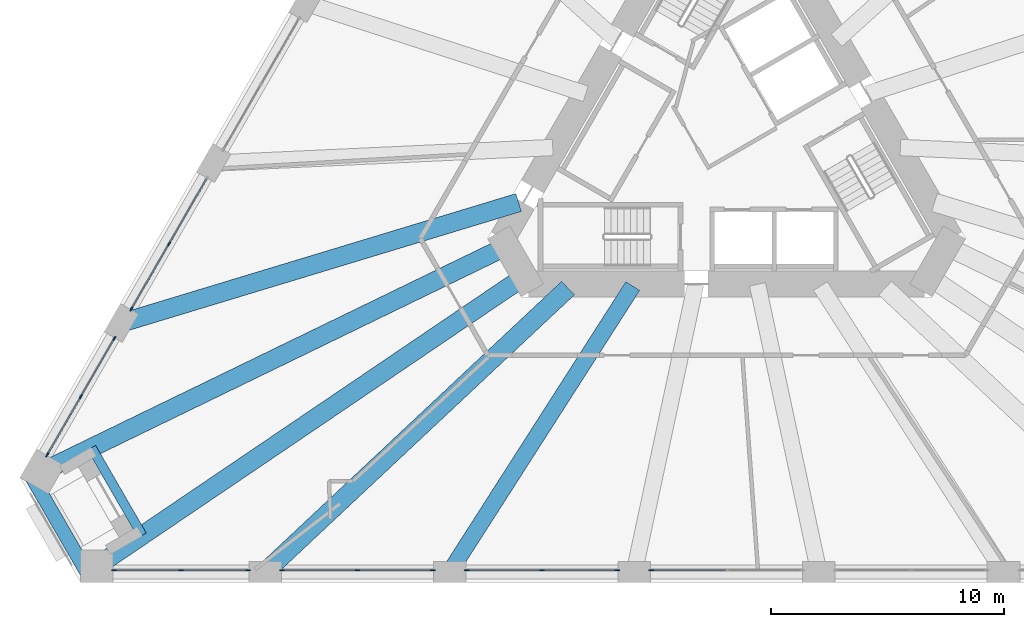
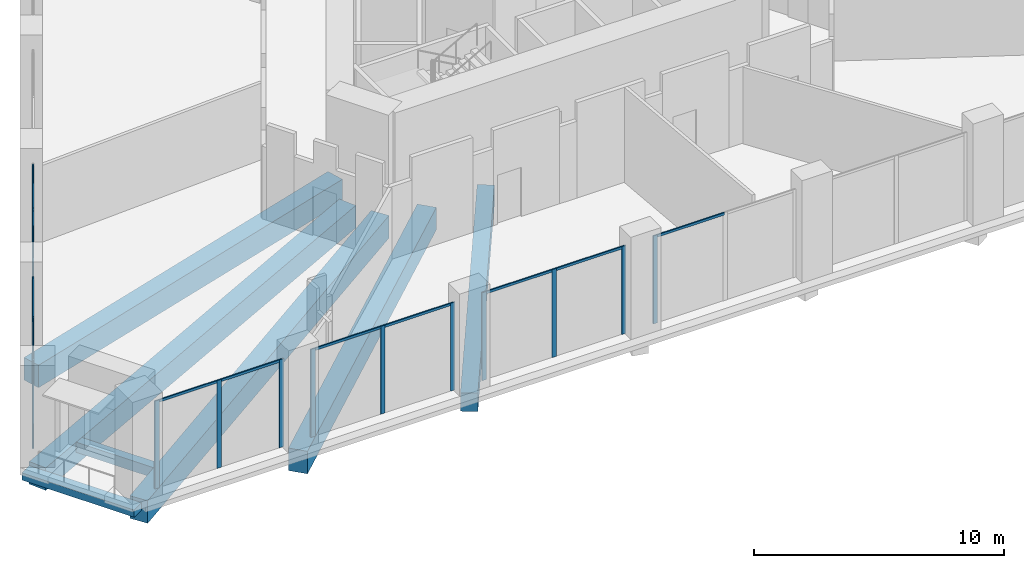
# One storey, part 2 of 20: 26 members, 7 beams, 6 elements without a shape of their own.
"""IFC4 building model written with IfcOpenShell, lengths in metres."""

import ifcopenshell
import ifcopenshell.guid

model = None  # the IFC model being written
_history = None  # IfcOwnerHistory: only IFC2X3 demands one
_inside = {}  # id of a spatial element -> (the spatial element, [elements in it])
_under = {}  # id of a project, library or spatial element -> (it, [spatial elements below it])
_declared = {}  # id of a project -> (the project, [libraries it declares])
_typed = {}  # id of a type object -> (the type object, [elements of that type])
_made_of = {}  # id of a material, layer set ... -> (it, [elements and type objects made of it])


def new_model(schema):
    """Start an empty IFC model of exactly this schema.

    Asked for "IFC4X3", IfcOpenShell would pick the latest addendum, in which some entities
    have other attributes; the version numbers below select the first issue.
    IFC2X3 requires an IfcOwnerHistory on every rooted entity: one is made here for all.
    """
    global model, _history
    if schema == "IFC4X3":
        model = ifcopenshell.file(schema_version=(4, 3, 0, 0))
    else:
        model = ifcopenshell.file(schema=schema)
    _inside.clear()
    _under.clear()
    _declared.clear()
    _typed.clear()
    _made_of.clear()
    _history = None
    if model.schema == "IFC2X3":
        org = make("IfcOrganization", Name="unknown")
        user = make(
            "IfcPersonAndOrganization",
            ThePerson=make("IfcPerson", FamilyName="unknown"),
            TheOrganization=org,
        )
        app = make(
            "IfcApplication",
            ApplicationDeveloper=org,
            Version="unknown",
            ApplicationFullName="unknown",
            ApplicationIdentifier="unknown",
        )
        _history = make(
            "IfcOwnerHistory",
            OwningUser=user,
            OwningApplication=app,
            ChangeAction="ADDED",
            CreationDate=0,
        )
    return model


def make(cls, **values):
    """One entity of the class cls with the attributes given. An attribute that is None is left unset."""
    return model.create_entity(
        cls, **{name: value for name, value in values.items() if value is not None}
    )


def rooted(cls, **values):
    """An entity with a GlobalId (a new one), such as an element, a storey or a relation."""
    return make(cls, GlobalId=ifcopenshell.guid.new(), OwnerHistory=_history, **values)


def si_unit(unit_type, name, prefix=None):
    """IfcSIUnit, for example si_unit("LENGTHUNIT", "METRE", prefix="MILLI")."""
    return make("IfcSIUnit", UnitType=unit_type, Prefix=prefix, Name=name)


def assignment(units):
    """IfcUnitAssignment: the units of a project."""
    return None if units is None else make("IfcUnitAssignment", Units=units)


def point(xyz):
    """IfcCartesianPoint."""
    return None if xyz is None else make("IfcCartesianPoint", Coordinates=xyz)


def direction(xyz):
    """IfcDirection."""
    return None if xyz is None else make("IfcDirection", DirectionRatios=xyz)


def frame(location, z_axis=None, x_axis=None):
    """IfcAxis2Placement3D, a coordinate frame: its origin and axes. An axis left out is left unset."""
    return make(
        "IfcAxis2Placement3D",
        Location=point(location),
        Axis=direction(z_axis),
        RefDirection=direction(x_axis),
    )


def frame_2d(location, x_axis=None):
    """IfcAxis2Placement2D, a coordinate frame in the plane: its origin and x axis."""
    return make(
        "IfcAxis2Placement2D", Location=point(location), RefDirection=direction(x_axis)
    )


def origin():
    """The frame at (0, 0, 0) with its axes left unset."""
    return frame((0.0, 0.0, 0.0))


def origin_2d():
    """The frame at (0, 0) in the plane with its x axis left unset."""
    return frame_2d((0.0, 0.0))


def place(relative_to, where):
    """IfcLocalPlacement: puts the frame where relative to a parent placement (None: the world)."""
    return make(
        "IfcLocalPlacement", PlacementRelTo=relative_to, RelativePlacement=where
    )


def context(
    kind, dimensions, precision=None, world=None, true_north=None, identifier=None
):
    """IfcGeometricRepresentationContext, for example the 3D "Model" context."""
    return make(
        "IfcGeometricRepresentationContext",
        ContextIdentifier=identifier,
        ContextType=kind,
        CoordinateSpaceDimension=dimensions,
        Precision=precision,
        WorldCoordinateSystem=world,
        TrueNorth=true_north,
    )


def subcontext(parent, identifier, kind, view, scale=None):
    """IfcGeometricRepresentationSubContext, for example "Body" below "Model"."""
    return make(
        "IfcGeometricRepresentationSubContext",
        ContextIdentifier=identifier,
        ContextType=kind,
        ParentContext=parent,
        TargetScale=scale,
        TargetView=view,
    )


def project(units=None, contexts=None):
    """IfcProject with its units and contexts."""
    return rooted(
        "IfcProject",
        Name="project",
        RepresentationContexts=contexts,
        UnitsInContext=assignment(units),
    )


def spatial(cls, under=None, at=None, **own):
    """A site, building, storey or space (cls), placed at a placement, below another one or the project."""
    s = rooted(cls, ObjectPlacement=at, **own)
    if under is not None:
        _under.setdefault(under.id(), (under, []))[1].append(s)
    return s


def profile(cls, at=None, kind="AREA", **sizes):
    """A parametric profile (cls). Its sizes go by their IFC names, for example OverallWidth=200.0."""
    return make(cls, ProfileType=kind, Position=at, **sizes)


def rectangle(**sizes):
    """IfcRectangleProfileDef."""
    return profile("IfcRectangleProfileDef", **sizes)


def extrude(swept, where, along, depth):
    """IfcExtrudedAreaSolid: the profile swept, set in the frame where, extruded along a direction by depth."""
    return make(
        "IfcExtrudedAreaSolid",
        SweptArea=swept,
        Position=where,
        ExtrudedDirection=direction(along),
        Depth=depth,
    )


def shape(context_of_items, identifier, shape_type, items):
    """IfcShapeRepresentation: the items that make up one representation, for example the "Body"."""
    return make(
        "IfcShapeRepresentation",
        ContextOfItems=context_of_items,
        RepresentationIdentifier=identifier,
        RepresentationType=shape_type,
        Items=items,
    )


def material(Name=None, Category=None):
    """IfcMaterial."""
    return make("IfcMaterial", Name=Name, Category=Category)


def layer(
    of_material, thickness, ventilated=None, Name=None, Category=None, Priority=None
):
    """IfcMaterialLayer: one layer of a wall or slab, of a material (None: an air gap)."""
    return make(
        "IfcMaterialLayer",
        Material=of_material,
        LayerThickness=thickness,
        IsVentilated=ventilated,
        Name=Name,
        Category=Category,
        Priority=Priority,
    )


def layer_set(layers, Name=None):
    """IfcMaterialLayerSet."""
    return make("IfcMaterialLayerSet", MaterialLayers=layers, LayerSetName=Name)


def material_profile(
    of_material, cross_section, Name=None, Category=None, Priority=None
):
    """IfcMaterialProfile: a cross section and its material."""
    return make(
        "IfcMaterialProfile",
        Name=Name,
        Material=of_material,
        Profile=cross_section,
        Priority=Priority,
        Category=Category,
    )


def profile_set(profiles, Name=None, composite=None):
    """IfcMaterialProfileSet."""
    return make(
        "IfcMaterialProfileSet",
        Name=Name,
        MaterialProfiles=profiles,
        CompositeProfile=composite,
    )


def made_of(thing, what):
    """Note that an element or type object is made of a material, layer set ...; save() writes the relation."""
    if what is not None:
        _made_of.setdefault(what.id(), (what, []))[1].append(thing)
    return thing


def type_object(cls, material=None, **own):
    """A type object (cls), such as IfcWallType, which elements share."""
    return made_of(rooted(cls, **own), material)


def element(
    cls,
    number,
    at=None,
    inside=None,
    cuts=None,
    type_object=None,
    material=None,
    context=None,
    identifier="Body",
    shape_type=None,
    held_by="IfcProductDefinitionShape",
    body=None,
    shapes=None,
    **own,
):
    """One element of the class cls, such as IfcWall. Its Tag is "e" and its number.

    at: its placement. inside: the storey or other place that contains it. cuts: it is an
    opening in that element (IfcRelVoidsElement). A single representation is given by context,
    identifier, shape_type and body (its items); several are given by shapes. held_by: the class
    of the entity that holds the representations. save() writes the other relations.
    """
    e = rooted(cls, Tag="e%d" % number, ObjectPlacement=at, **own)
    if body is not None:
        shapes = [shape(context, identifier, shape_type, body)]
    if shapes is not None:
        e.Representation = make(held_by, Representations=shapes)
    if inside is not None:
        _inside.setdefault(inside.id(), (inside, []))[1].append(e)
    if cuts is not None:
        rooted(
            "IfcRelVoidsElement", RelatingBuildingElement=cuts, RelatedOpeningElement=e
        )
    if type_object is not None:
        _typed.setdefault(type_object.id(), (type_object, []))[1].append(e)
    return made_of(e, material)


def aggregate(whole, parts):
    """IfcRelAggregates: a whole, such as a stair, and the parts it consists of."""
    return rooted("IfcRelAggregates", RelatingObject=whole, RelatedObjects=parts)


def save(model, path):
    """Write the relations noted so far, then the file.

    IfcRelAggregates (storeys below a building ...), IfcRelContainedInSpatialStructure (elements
    in a storey), IfcRelDefinesByType, IfcRelAssociatesMaterial and IfcRelDeclares: one each for
    every whole, place, type object, material and project.
    """
    for whole, parts in _under.values():
        aggregate(whole, parts)
    for where, things in _inside.values():
        rooted(
            "IfcRelContainedInSpatialStructure",
            RelatedElements=things,
            RelatingStructure=where,
        )
    for kind, things in _typed.values():
        rooted("IfcRelDefinesByType", RelatedObjects=things, RelatingType=kind)
    for what, things in _made_of.values():
        rooted("IfcRelAssociatesMaterial", RelatedObjects=things, RelatingMaterial=what)
    for by, libraries in _declared.values():
        rooted("IfcRelDeclares", RelatingContext=by, RelatedDefinitions=libraries)
    model.write(path)


model = new_model("IFC4")

# Units and contexts
model_context = context("Model", 3, precision=1e-05, world=origin(), true_north=direction((0.0, 1.0)))
body_context = subcontext(model_context, "Body", "Model", "MODEL_VIEW")
ifc_project = project(units=[si_unit("LENGTHUNIT", "METRE"), si_unit("AREAUNIT", "SQUARE_METRE"), si_unit("VOLUMEUNIT", "CUBIC_METRE"), si_unit("PLANEANGLEUNIT", "RADIAN"), si_unit("MASSUNIT", "GRAM", prefix="KILO")], contexts=[model_context])

# Site, building, storey
site_placement = place(None, origin())
site = spatial("IfcSite", under=ifc_project, at=site_placement, CompositionType="ELEMENT")
building_placement = place(site_placement, origin())
building = spatial("IfcBuilding", under=site, at=building_placement, Name="Tramontana Tower", CompositionType="ELEMENT")
storey_placement = place(building_placement, frame((0.0, 0.0, 15.0)))
storey = spatial("IfcBuildingStorey", under=building, at=storey_placement, Name="L02", CompositionType="ELEMENT", Elevation=15.0)

# Curtain wall, members
ifc_material_1 = material(Name="Aluminum extrusion", Category="aluminium")
ifc_layer = layer(ifc_material_1, 0.14990234375)
ifc_layer_set = layer_set([ifc_layer], Name="CW2 Podium amenity curtain wall")
curtain_wall_type = type_object("IfcCurtainWallType", Name="CW2 Podium amenity curtain wall", PredefinedType="NOTDEFINED", material=ifc_layer_set)
curtain_wall_1_placement = place(storey_placement, origin())
curtain_wall_1 = element("IfcCurtainWall", 1, at=curtain_wall_1_placement, inside=storey, type_object=curtain_wall_type, Name="CW2 curtain wall L02 face 0 bay 6", PredefinedType="NOTDEFINED")
ifc_material_2 = material(Name="Aluminum extrusion", Category="aluminium")
ifc_material_profile_1 = material_profile(ifc_material_2, rectangle(XDim=0.06005859375, YDim=0.199951171875, at=origin_2d()), Name="CW2-M Mullion 60 x 200")
ifc_profile_set_1 = profile_set([ifc_material_profile_1], Name="Aluminum extrusion")
member_type_1 = type_object("IfcMemberType", Name="CW2-M Mullion 60 x 200", PredefinedType="MULLION", material=ifc_profile_set_1)
member_1_placement = place(storey_placement, frame((-23.917724609375, -4.476806640625, 0.0), z_axis=(0.0, 0.0, 1.0), x_axis=(0.866025403784, -0.5, 0.0)))
member_1 = element("IfcMember", 2, at=member_1_placement, type_object=member_type_1, Name="CW2 curtain wall L02 face 0 bay 6 mullion 2", PredefinedType="MULLION", context=body_context, shape_type="SweptSolid", body=[
    extrude(rectangle(XDim=0.06005859375, YDim=0.199951171875, at=origin_2d()), origin(), (0.0, 0.0, 1.0), 4.300048828125),
])
member_2_placement = place(storey_placement, frame((-25.5322265625, -7.273193359375, 0.0), z_axis=(0.0, 0.0, 1.0), x_axis=(0.866025403784, -0.5, 0.0)))
member_2 = element("IfcMember", 3, at=member_2_placement, type_object=member_type_1, Name="CW2 curtain wall L02 face 0 bay 6 mullion 3", PredefinedType="MULLION", context=body_context, shape_type="SweptSolid", body=[
    extrude(rectangle(XDim=0.06005859375, YDim=0.199951171875, at=origin_2d()), origin(), (0.0, 0.0, 1.0), 4.300048828125),
])

curtain_wall_2_placement = place(storey_placement, origin())
curtain_wall_2 = element("IfcCurtainWall", 4, at=curtain_wall_2_placement, inside=storey, type_object=curtain_wall_type, Name="CW2 curtain wall L02 face 0 bay 7", PredefinedType="NOTDEFINED")
member_3_placement = place(storey_placement, frame((-26.26220703125, -8.53759765625, 0.0), z_axis=(0.0, 0.0, 1.0), x_axis=(0.866025403784, -0.5, 0.0)))
member_3 = element("IfcMember", 5, at=member_3_placement, type_object=member_type_1, Name="CW2 curtain wall L02 face 0 bay 7 mullion 1", PredefinedType="MULLION", context=body_context, shape_type="SweptSolid", body=[
    extrude(rectangle(XDim=0.06005859375, YDim=0.199951171875, at=origin_2d()), origin(), (0.0, 0.0, 1.0), 4.300048828125),
])
member_4_placement = place(storey_placement, frame((-27.70166015625, -11.03076171875, 0.0), z_axis=(0.0, 0.0, 1.0), x_axis=(0.866025403784, -0.5, 0.0)))
member_4 = element("IfcMember", 6, at=member_4_placement, type_object=member_type_1, Name="CW2 curtain wall L02 face 0 bay 7 mullion 2", PredefinedType="MULLION", context=body_context, shape_type="SweptSolid", body=[
    extrude(rectangle(XDim=0.06005859375, YDim=0.199951171875, at=origin_2d()), origin(), (0.0, 0.0, 1.0), 4.300048828125),
])
member_5_placement = place(storey_placement, frame((-29.14111328125, -13.524169921875, 0.0), z_axis=(0.0, 0.0, 1.0), x_axis=(0.866025403784, -0.5, 0.0)))
member_5 = element("IfcMember", 7, at=member_5_placement, type_object=member_type_1, Name="CW2 curtain wall L02 face 0 bay 7 mullion 3", PredefinedType="MULLION", context=body_context, shape_type="SweptSolid", body=[
    extrude(rectangle(XDim=0.06005859375, YDim=0.199951171875, at=origin_2d()), origin(), (0.0, 0.0, 1.0), 4.300048828125),
])

curtain_wall_3_placement = place(storey_placement, origin())
curtain_wall_3 = element("IfcCurtainWall", 8, at=curtain_wall_3_placement, inside=storey, type_object=curtain_wall_type, Name="CW2 curtain wall L02 face 1 bay 1", PredefinedType="NOTDEFINED")
member_6_placement = place(storey_placement, frame((-26.28271484375, -18.47509765625, 0.0), z_axis=(0.0, 0.0, 1.0), x_axis=(0.0, 1.0, 0.0)))
member_6 = element("IfcMember", 9, at=member_6_placement, type_object=member_type_1, Name="CW2 curtain wall L02 face 1 bay 1 mullion 1", PredefinedType="MULLION", context=body_context, shape_type="SweptSolid", body=[
    extrude(rectangle(XDim=0.06005859375, YDim=0.199951171875, at=origin_2d()), origin(), (0.0, 0.0, 1.0), 4.300048828125),
])
member_7_placement = place(storey_placement, frame((-23.40380859375, -18.47509765625, 0.0), z_axis=(0.0, 0.0, 1.0), x_axis=(0.0, 1.0, 0.0)))
member_7 = element("IfcMember", 10, at=member_7_placement, type_object=member_type_1, Name="CW2 curtain wall L02 face 1 bay 1 mullion 2", PredefinedType="MULLION", context=body_context, shape_type="SweptSolid", body=[
    extrude(rectangle(XDim=0.06005859375, YDim=0.199951171875, at=origin_2d()), origin(), (0.0, 0.0, 1.0), 4.300048828125),
])
member_8_placement = place(storey_placement, frame((-20.52490234375, -18.47509765625, 0.0), z_axis=(0.0, 0.0, 1.0), x_axis=(0.0, 1.0, 0.0)))
member_8 = element("IfcMember", 11, at=member_8_placement, type_object=member_type_1, Name="CW2 curtain wall L02 face 1 bay 1 mullion 3", PredefinedType="MULLION", context=body_context, shape_type="SweptSolid", body=[
    extrude(rectangle(XDim=0.06005859375, YDim=0.199951171875, at=origin_2d()), origin(), (0.0, 0.0, 1.0), 4.300048828125),
])

curtain_wall_4_placement = place(storey_placement, origin())
curtain_wall_4 = element("IfcCurtainWall", 12, at=curtain_wall_4_placement, inside=storey, type_object=curtain_wall_type, Name="CW2 curtain wall L02 face 1 bay 2", PredefinedType="NOTDEFINED")
member_9_placement = place(storey_placement, frame((-19.06494140625, -18.47509765625, 0.0), z_axis=(0.0, 0.0, 1.0), x_axis=(0.0, 1.0, 0.0)))
member_9 = element("IfcMember", 13, at=member_9_placement, type_object=member_type_1, Name="CW2 curtain wall L02 face 1 bay 2 mullion 1", PredefinedType="MULLION", context=body_context, shape_type="SweptSolid", body=[
    extrude(rectangle(XDim=0.06005859375, YDim=0.199951171875, at=origin_2d()), origin(), (0.0, 0.0, 1.0), 4.300048828125),
])
member_10_placement = place(storey_placement, frame((-15.8359375, -18.47509765625, 0.0), z_axis=(0.0, 0.0, 1.0), x_axis=(0.0, 1.0, 0.0)))
member_10 = element("IfcMember", 14, at=member_10_placement, type_object=member_type_1, Name="CW2 curtain wall L02 face 1 bay 2 mullion 2", PredefinedType="MULLION", context=body_context, shape_type="SweptSolid", body=[
    extrude(rectangle(XDim=0.06005859375, YDim=0.199951171875, at=origin_2d()), origin(), (0.0, 0.0, 1.0), 4.300048828125),
])
member_11_placement = place(storey_placement, frame((-12.60693359375, -18.47509765625, 0.0), z_axis=(0.0, 0.0, 1.0), x_axis=(0.0, 1.0, 0.0)))
member_11 = element("IfcMember", 15, at=member_11_placement, type_object=member_type_1, Name="CW2 curtain wall L02 face 1 bay 2 mullion 3", PredefinedType="MULLION", context=body_context, shape_type="SweptSolid", body=[
    extrude(rectangle(XDim=0.06005859375, YDim=0.199951171875, at=origin_2d()), origin(), (0.0, 0.0, 1.0), 4.300048828125),
])

curtain_wall_5_placement = place(storey_placement, origin())
curtain_wall_5 = element("IfcCurtainWall", 16, at=curtain_wall_5_placement, inside=storey, type_object=curtain_wall_type, Name="CW2 curtain wall L02 face 1 bay 3", PredefinedType="NOTDEFINED")
member_12_placement = place(storey_placement, frame((-11.14697265625, -18.47509765625, 0.0), z_axis=(0.0, 0.0, 1.0), x_axis=(0.0, 1.0, 0.0)))
member_12 = element("IfcMember", 17, at=member_12_placement, type_object=member_type_1, Name="CW2 curtain wall L02 face 1 bay 3 mullion 1", PredefinedType="MULLION", context=body_context, shape_type="SweptSolid", body=[
    extrude(rectangle(XDim=0.06005859375, YDim=0.199951171875, at=origin_2d()), origin(), (0.0, 0.0, 1.0), 4.300048828125),
])
member_13_placement = place(storey_placement, frame((-7.91796875, -18.47509765625, 0.0), z_axis=(0.0, 0.0, 1.0), x_axis=(0.0, 1.0, 0.0)))
member_13 = element("IfcMember", 18, at=member_13_placement, type_object=member_type_1, Name="CW2 curtain wall L02 face 1 bay 3 mullion 2", PredefinedType="MULLION", context=body_context, shape_type="SweptSolid", body=[
    extrude(rectangle(XDim=0.06005859375, YDim=0.199951171875, at=origin_2d()), origin(), (0.0, 0.0, 1.0), 4.300048828125),
])
member_14_placement = place(storey_placement, frame((-4.68896484375, -18.47509765625, 0.0), z_axis=(0.0, 0.0, 1.0), x_axis=(0.0, 1.0, 0.0)))
member_14 = element("IfcMember", 19, at=member_14_placement, type_object=member_type_1, Name="CW2 curtain wall L02 face 1 bay 3 mullion 3", PredefinedType="MULLION", context=body_context, shape_type="SweptSolid", body=[
    extrude(rectangle(XDim=0.06005859375, YDim=0.199951171875, at=origin_2d()), origin(), (0.0, 0.0, 1.0), 4.300048828125),
])

# Curtain wall, member
curtain_wall_6_placement = place(storey_placement, origin())
curtain_wall_6 = element("IfcCurtainWall", 20, at=curtain_wall_6_placement, inside=storey, type_object=curtain_wall_type, Name="CW2 curtain wall L02 face 1 bay 4", PredefinedType="NOTDEFINED")
member_15_placement = place(storey_placement, frame((-3.22900390625, -18.47509765625, 0.0), z_axis=(0.0, 0.0, 1.0), x_axis=(0.0, 1.0, 0.0)))
member_15 = element("IfcMember", 21, at=member_15_placement, type_object=member_type_1, Name="CW2 curtain wall L02 face 1 bay 4 mullion 1", PredefinedType="MULLION", context=body_context, shape_type="SweptSolid", body=[
    extrude(rectangle(XDim=0.06005859375, YDim=0.199951171875, at=origin_2d()), origin(), (0.0, 0.0, 1.0), 4.300048828125),
])

# Member
ifc_material_3 = material(Name="Aluminum extrusion", Category="aluminium")
ifc_material_profile_2 = material_profile(ifc_material_3, rectangle(XDim=0.06005859375, YDim=0.1201171875, at=origin_2d()), Name="CW2-T Transom 60 x 120")
ifc_profile_set_2 = profile_set([ifc_material_profile_2], Name="Aluminum extrusion")
member_type_2 = type_object("IfcMemberType", Name="CW2-T Transom 60 x 120", PredefinedType="USERDEFINED", material=ifc_profile_set_2)
member_16_placement = place(storey_placement, frame((-22.318359375, -1.706298828125, 4.239990234375), z_axis=(-0.500000324964, -0.866025216166, 0.0), x_axis=(0.866025216166, -0.500000324964, 0.0)))
member_16 = element("IfcMember", 22, at=member_16_placement, type_object=member_type_2, Name="CW2 curtain wall L02 face 0 bay 6 transom 1.1", ObjectType="TRANSOM", PredefinedType="USERDEFINED", context=body_context, shape_type="SweptSolid", body=[
    extrude(rectangle(XDim=0.06005859375, YDim=0.1201171875, at=origin_2d()), origin(), (0.0, 0.0, 1.0), 3.1689453125),
])

member_17_placement = place(storey_placement, frame((-23.932861328125, -4.502685546875, 4.239990234375), z_axis=(-0.500000324964, -0.866025216166, 0.0), x_axis=(0.866025216166, -0.500000324964, 0.0)))
member_17 = element("IfcMember", 23, at=member_17_placement, type_object=member_type_2, Name="CW2 curtain wall L02 face 0 bay 6 transom 2.1", ObjectType="TRANSOM", PredefinedType="USERDEFINED", context=body_context, shape_type="SweptSolid", body=[
    extrude(rectangle(XDim=0.06005859375, YDim=0.1201171875, at=origin_2d()), origin(), (0.0, 0.0, 1.0), 3.1689453125),
])

aggregate(curtain_wall_1, [member_1, member_2, member_16, member_17])

member_18_placement = place(storey_placement, frame((-26.27734375, -8.5634765625, 4.239990234375), z_axis=(-0.499967348137, -0.866044254525, 0.0), x_axis=(0.866044254525, -0.499967348137, 0.0)))
member_18 = element("IfcMember", 24, at=member_18_placement, type_object=member_type_2, Name="CW2 curtain wall L02 face 0 bay 7 transom 1.1", ObjectType="TRANSOM", PredefinedType="USERDEFINED", context=body_context, shape_type="SweptSolid", body=[
    extrude(rectangle(XDim=0.06005859375, YDim=0.1201171875, at=origin_2d()), origin(), (0.0, 0.0, 1.0), 2.819091796875),
])

member_19_placement = place(storey_placement, frame((-27.716796875, -11.056884765625, 4.239990234375), z_axis=(-0.500004849665, -0.866022603811, 0.0), x_axis=(0.866022603811, -0.500004849665, 0.0)))
member_19 = element("IfcMember", 25, at=member_19_placement, type_object=member_type_2, Name="CW2 curtain wall L02 face 0 bay 7 transom 2.1", ObjectType="TRANSOM", PredefinedType="USERDEFINED", context=body_context, shape_type="SweptSolid", body=[
    extrude(rectangle(XDim=0.06005859375, YDim=0.1201171875, at=origin_2d()), origin(), (0.0, 0.0, 1.0), 2.81884765625),
])

aggregate(curtain_wall_2, [member_3, member_4, member_5, member_18, member_19])

member_20_placement = place(storey_placement, frame((-26.2529296875, -18.47509765625, 4.239990234375), z_axis=(1.0, 0.0, 0.0), x_axis=(0.0, 1.0, 0.0)))
member_20 = element("IfcMember", 26, at=member_20_placement, type_object=member_type_2, Name="CW2 curtain wall L02 face 1 bay 1 transom 1.1", ObjectType="TRANSOM", PredefinedType="USERDEFINED", context=body_context, shape_type="SweptSolid", body=[
    extrude(rectangle(XDim=0.06005859375, YDim=0.1201171875, at=origin_2d()), origin(), (0.0, 0.0, 1.0), 2.819091796875),
])

member_21_placement = place(storey_placement, frame((-23.373779296875, -18.47509765625, 4.239990234375), z_axis=(1.0, 0.0, 0.0), x_axis=(0.0, 1.0, 0.0)))
member_21 = element("IfcMember", 27, at=member_21_placement, type_object=member_type_2, Name="CW2 curtain wall L02 face 1 bay 1 transom 2.1", ObjectType="TRANSOM", PredefinedType="USERDEFINED", context=body_context, shape_type="SweptSolid", body=[
    extrude(rectangle(XDim=0.06005859375, YDim=0.1201171875, at=origin_2d()), origin(), (0.0, 0.0, 1.0), 2.81884765625),
])

aggregate(curtain_wall_3, [member_6, member_7, member_8, member_20, member_21])

member_22_placement = place(storey_placement, frame((-19.034912109375, -18.47509765625, 4.239990234375), z_axis=(1.0, 0.0, 0.0), x_axis=(0.0, 1.0, 0.0)))
member_22 = element("IfcMember", 28, at=member_22_placement, type_object=member_type_2, Name="CW2 curtain wall L02 face 1 bay 2 transom 1.1", ObjectType="TRANSOM", PredefinedType="USERDEFINED", context=body_context, shape_type="SweptSolid", body=[
    extrude(rectangle(XDim=0.06005859375, YDim=0.1201171875, at=origin_2d()), origin(), (0.0, 0.0, 1.0), 3.1689453125),
])

member_23_placement = place(storey_placement, frame((-15.805908203125, -18.47509765625, 4.239990234375), z_axis=(1.0, 0.0, 0.0), x_axis=(0.0, 1.0, 0.0)))
member_23 = element("IfcMember", 29, at=member_23_placement, type_object=member_type_2, Name="CW2 curtain wall L02 face 1 bay 2 transom 2.1", ObjectType="TRANSOM", PredefinedType="USERDEFINED", context=body_context, shape_type="SweptSolid", body=[
    extrude(rectangle(XDim=0.06005859375, YDim=0.1201171875, at=origin_2d()), origin(), (0.0, 0.0, 1.0), 3.1689453125),
])

aggregate(curtain_wall_4, [member_9, member_10, member_11, member_22, member_23])

member_24_placement = place(storey_placement, frame((-11.116943359375, -18.47509765625, 4.239990234375), z_axis=(1.0, 0.0, 0.0), x_axis=(0.0, 1.0, 0.0)))
member_24 = element("IfcMember", 30, at=member_24_placement, type_object=member_type_2, Name="CW2 curtain wall L02 face 1 bay 3 transom 1.1", ObjectType="TRANSOM", PredefinedType="USERDEFINED", context=body_context, shape_type="SweptSolid", body=[
    extrude(rectangle(XDim=0.06005859375, YDim=0.1201171875, at=origin_2d()), origin(), (0.0, 0.0, 1.0), 3.1689453125),
])

member_25_placement = place(storey_placement, frame((-7.887939453125, -18.47509765625, 4.239990234375), z_axis=(1.0, 0.0, 0.0), x_axis=(0.0, 1.0, 0.0)))
member_25 = element("IfcMember", 31, at=member_25_placement, type_object=member_type_2, Name="CW2 curtain wall L02 face 1 bay 3 transom 2.1", ObjectType="TRANSOM", PredefinedType="USERDEFINED", context=body_context, shape_type="SweptSolid", body=[
    extrude(rectangle(XDim=0.06005859375, YDim=0.1201171875, at=origin_2d()), origin(), (0.0, 0.0, 1.0), 3.1689453125),
])

aggregate(curtain_wall_5, [member_12, member_13, member_14, member_24, member_25])

member_26_placement = place(storey_placement, frame((-3.198974609375, -18.47509765625, 4.239990234375), z_axis=(1.0, 0.0, 0.0), x_axis=(0.0, 1.0, 0.0)))
member_26 = element("IfcMember", 32, at=member_26_placement, type_object=member_type_2, Name="CW2 curtain wall L02 face 1 bay 4 transom 1.1", ObjectType="TRANSOM", PredefinedType="USERDEFINED", context=body_context, shape_type="SweptSolid", body=[
    extrude(rectangle(XDim=0.06005859375, YDim=0.1201171875, at=origin_2d()), origin(), (0.0, 0.0, 1.0), 3.1689453125),
])

aggregate(curtain_wall_6, [member_15, member_26])

# Beams
ifc_material_4 = material(Name="Concrete 40 MPa", Category="concrete")
ifc_material_profile_3 = material_profile(ifc_material_4, rectangle(XDim=0.60009765625, YDim=0.35009765625, at=origin_2d()), Name="RC EDGE BEAM 600X350 40 MPa")
ifc_profile_set_3 = profile_set([ifc_material_profile_3], Name="Concrete 40 MPa")
beam_type_1 = type_object("IfcBeamType", Name="RC EDGE BEAM 600X350 40 MPa", PredefinedType="SPANDREL", material=ifc_profile_set_3)
beam_1_placement = place(storey_placement, frame((-29.921142578125, -14.27490234375, -0.52490234375), z_axis=(0.50000986103, -0.866019710441, 0.0), x_axis=(0.866019710441, 0.50000986103, 0.0)))
element("IfcBeam", 33, at=beam_1_placement, inside=storey, type_object=beam_type_1, Name="Spandrel beam K1 L02", PredefinedType="SPANDREL", context=body_context, shape_type="SweptSolid", body=[
    extrude(rectangle(XDim=0.60009765625, YDim=0.35009765625, at=origin_2d()), origin(), (0.0, 0.0, 1.0), 5.1962890625),
])
ifc_material_5 = material(Name="Concrete 40 MPa", Category="concrete")
ifc_material_profile_4 = material_profile(ifc_material_5, rectangle(XDim=0.699951171875, YDim=0.89990234375, at=origin_2d()), Name="RC GIRDER 700X900 40 MPa")
ifc_profile_set_4 = profile_set([ifc_material_profile_4], Name="Concrete 40 MPa")
beam_type_2 = type_object("IfcBeamType", Name="RC GIRDER 700X900 40 MPa", PredefinedType="BEAM", material=ifc_profile_set_4)
beam_2_placement = place(storey_placement, frame((-11.876953125, -18.550048828125, -0.800048828125), z_axis=(0.539217827497, 0.84216633423, 0.0), x_axis=(-0.84216633423, 0.539217827497, 0.0)))
element("IfcBeam", 34, at=beam_2_placement, inside=storey, type_object=beam_type_2, Name="Radial girder C0F08 L02", PredefinedType="BEAM", context=body_context, shape_type="SweptSolid", body=[
    extrude(rectangle(XDim=0.699951171875, YDim=0.89990234375, at=origin_2d()), origin(), (0.0, 0.0, 1.0), 14.5615234375),
])
ifc_material_6 = material(Name="Concrete 40 MPa", Category="concrete")
ifc_material_profile_5 = material_profile(ifc_material_6, rectangle(XDim=0.800048828125, YDim=1.10009765625, at=origin_2d()), Name="RC GIRDER 800X1100 40 MPa")
ifc_profile_set_5 = profile_set([ifc_material_profile_5], Name="Concrete 40 MPa")
beam_type_3 = type_object("IfcBeamType", Name="RC GIRDER 800X1100 40 MPa", PredefinedType="BEAM", material=ifc_profile_set_5)
beam_3_placement = place(storey_placement, frame((-25.962158203125, -7.867919921875, -0.89990234375), z_axis=(0.95701990712, 0.290022236004, 0.0), x_axis=(-0.290022236004, 0.95701990712, 0.0)))
element("IfcBeam", 35, at=beam_3_placement, inside=storey, type_object=beam_type_3, Name="Radial girder C0F06 L02", PredefinedType="BEAM", context=body_context, shape_type="SweptSolid", body=[
    extrude(rectangle(XDim=0.800048828125, YDim=1.10009765625, at=origin_2d()), origin(), (0.0, 0.0, 1.0), 17.806640625),
])
beam_4_placement = place(storey_placement, frame((-29.354736328125, -14.243896484375, -0.89990234375), z_axis=(0.899679009302, 0.436552036098, 0.0), x_axis=(-0.436552036098, 0.899679009302, 0.0)))
element("IfcBeam", 36, at=beam_4_placement, inside=storey, type_object=beam_type_3, Name="Radial girder C0K2 L02", PredefinedType="BEAM", context=body_context, shape_type="SweptSolid", body=[
    extrude(rectangle(XDim=0.800048828125, YDim=1.10009765625, at=origin_2d()), origin(), (0.0, 0.0, 1.0), 22.149658203125),
])
beam_5_placement = place(storey_placement, frame((-27.0126953125, -18.300048828125, -0.89990234375), z_axis=(0.827898052271, 0.560878609903, 0.0), x_axis=(-0.560878609903, 0.827898052271, 0.0)))
element("IfcBeam", 37, at=beam_5_placement, inside=storey, type_object=beam_type_3, Name="Radial girder C0K3 L02", PredefinedType="BEAM", context=body_context, shape_type="SweptSolid", body=[
    extrude(rectangle(XDim=0.800048828125, YDim=1.10009765625, at=origin_2d()), origin(), (0.0, 0.0, 1.0), 22.1494140625),
])
beam_6_placement = place(storey_placement, frame((-19.794921875, -18.550048828125, -0.89990234375), z_axis=(0.72967229952, 0.683796998614, 0.0), x_axis=(-0.683796998614, 0.72967229952, 0.0)))
element("IfcBeam", 38, at=beam_6_placement, inside=storey, type_object=beam_type_3, Name="Radial girder C0F07 L02", PredefinedType="BEAM", context=body_context, shape_type="SweptSolid", body=[
    extrude(rectangle(XDim=0.800048828125, YDim=1.10009765625, at=origin_2d()), origin(), (0.0, 0.0, 1.0), 17.806884765625),
])
ifc_material_7 = material(Name="Concrete 40 MPa", Category="concrete")
ifc_material_profile_6 = material_profile(ifc_material_7, rectangle(XDim=0.39990234375, YDim=0.5, at=origin_2d()), Name="RC TRIM BEAM 400X500 40 MPa")
ifc_profile_set_6 = profile_set([ifc_material_profile_6], Name="Concrete 40 MPa")
beam_type_4 = type_object("IfcBeamType", Name="RC TRIM BEAM 400X500 40 MPa", PredefinedType="JOIST", material=ifc_profile_set_6)
beam_7_placement = place(storey_placement, frame((-27.240478515625, -13.218017578125, -0.60009765625), z_axis=(0.499999616612, -0.866025625133, 0.0), x_axis=(0.866025625133, 0.499999616612, 0.0)))
element("IfcBeam", 39, at=beam_7_placement, inside=storey, type_object=beam_type_4, Name="Trimmer beam K1 L02", PredefinedType="JOIST", context=body_context, shape_type="SweptSolid", body=[
    extrude(rectangle(XDim=0.39990234375, YDim=0.5, at=origin_2d()), origin(), (0.0, 0.0, 1.0), 4.34619140625),
])

save(model, "model.ifc")
